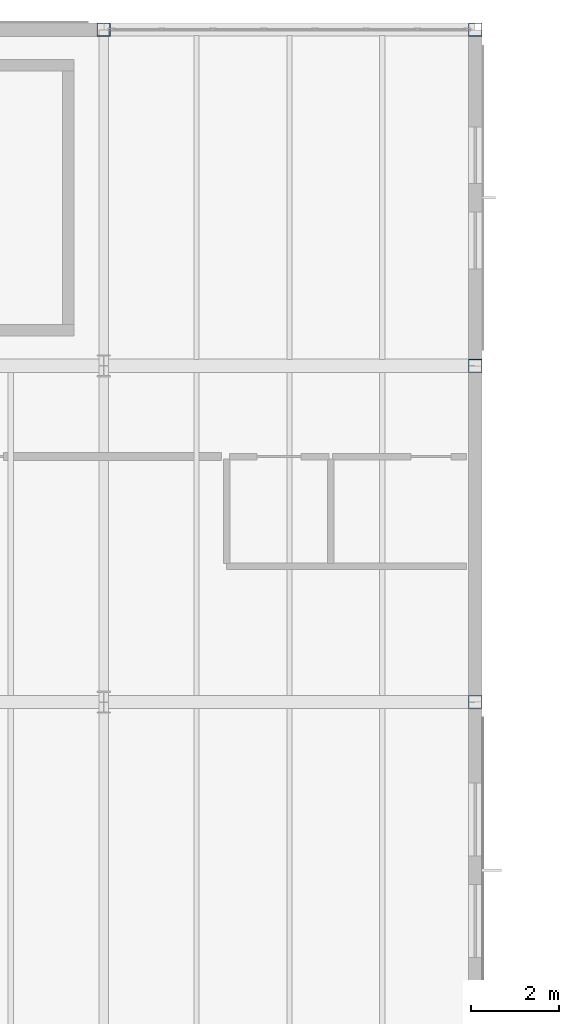
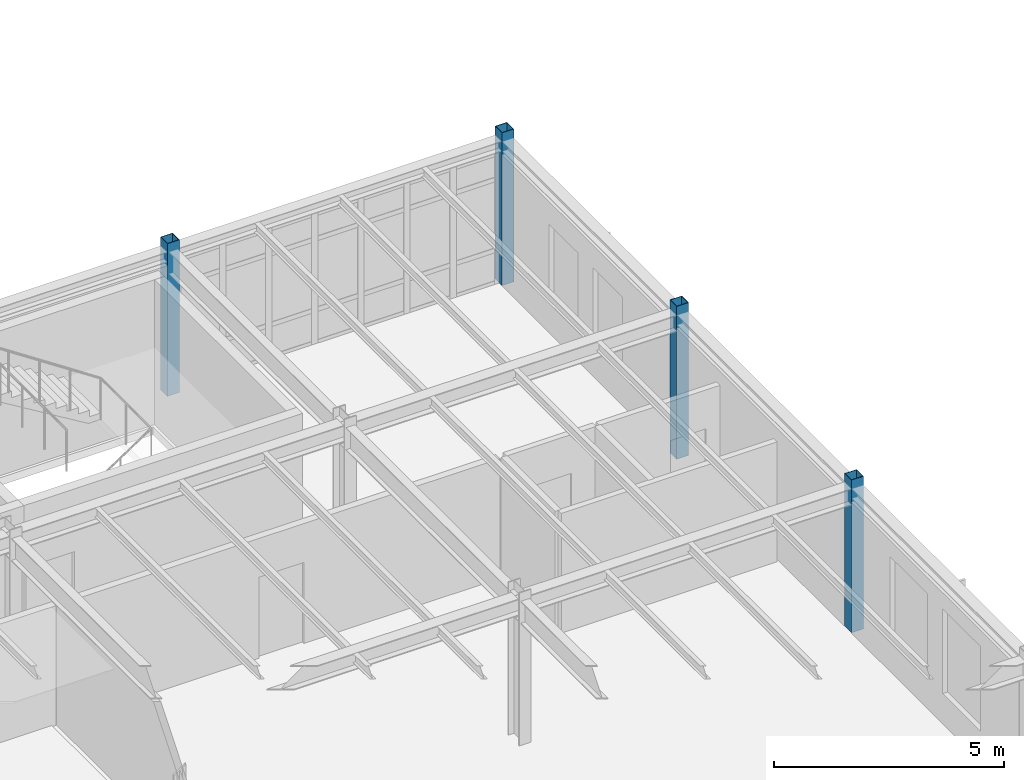
# One storey, part 16 of 165: 4 columns.
"""IFC4 building model written with IfcOpenShell, lengths in metres."""

from ifc_helpers import new_model, si_unit, direction, frame, origin, origin_2d, place, context, subcontext, project, spatial, hollow_rectangle, extrude, material, material_profile, profile_set, type_object, element, save


model = new_model("IFC4")

# Units and contexts
model_context = context("Model", 3, precision=1e-05, world=origin(), true_north=direction((0.0, 1.0)))
body_context = subcontext(model_context, "Body", "Model", "MODEL_VIEW")
ifc_project = project(units=[si_unit("LENGTHUNIT", "METRE"), si_unit("AREAUNIT", "SQUARE_METRE"), si_unit("VOLUMEUNIT", "CUBIC_METRE"), si_unit("PLANEANGLEUNIT", "RADIAN"), si_unit("MASSUNIT", "GRAM", prefix="KILO")], contexts=[model_context])

# Site, building, storey
site_placement = place(None, origin())
site = spatial("IfcSite", under=ifc_project, at=site_placement, CompositionType="ELEMENT")
building_placement = place(site_placement, origin())
building = spatial("IfcBuilding", under=site, at=building_placement, Name="Montecoro Central Library", CompositionType="ELEMENT")
storey_placement = place(building_placement, frame((0.0, 0.0, 5.10009765625)))
storey = spatial("IfcBuildingStorey", under=building, at=storey_placement, Name="L01", CompositionType="ELEMENT", Elevation=5.10009765625)

# Columns
ifc_material = material(Name="Steel S355", Category="steel")
ifc_material_profile = material_profile(ifc_material, hollow_rectangle(XDim=0.300048828125, YDim=0.300048828125, WallThickness=0.012451171875, at=origin_2d()), Name="SHS 300x300x12.5")
ifc_profile_set = profile_set([ifc_material_profile], Name="Steel S355")
column_type = type_object("IfcColumnType", Name="COL-SHS300", PredefinedType="COLUMN", material=ifc_profile_set)
for number, where, z_axis, x_axis, name in (
    (1, (108.39990234375, 119.0, 0.0), (0.0, 0.0, 1.0), (1.0, 0.0, 0.0), "V2-L01-COL-14-R"),
    (2, (116.800048828125, 103.800048828125, 0.0), (0.0, 0.0, 1.0), (1.0, 0.0, 0.0), "V2-L01-COL-15-P"),
    (3, (116.800048828125, 111.39990234375, 0.0), (0.0, 0.0, 1.0), (1.0, 0.0, 0.0), "V2-L01-COL-15-Q"),
    (4, (116.800048828125, 119.0, 0.0), (0.0, 0.0, 1.0), (1.0, 0.0, 0.0), "V2-L01-COL-15-R"),
):
    element("IfcColumn", number, at=place(storey_placement, frame(where, z_axis=z_axis, x_axis=x_axis)), inside=storey, type_object=column_type, Name=name, PredefinedType="COLUMN", context=body_context, shape_type="SweptSolid", body=[
        extrude(hollow_rectangle(XDim=0.300048828125, YDim=0.300048828125, WallThickness=0.012451171875, at=origin_2d()), origin(), (0.0, 0.0, 1.0), 4.054931640625),
    ])

save(model, "model.ifc")
